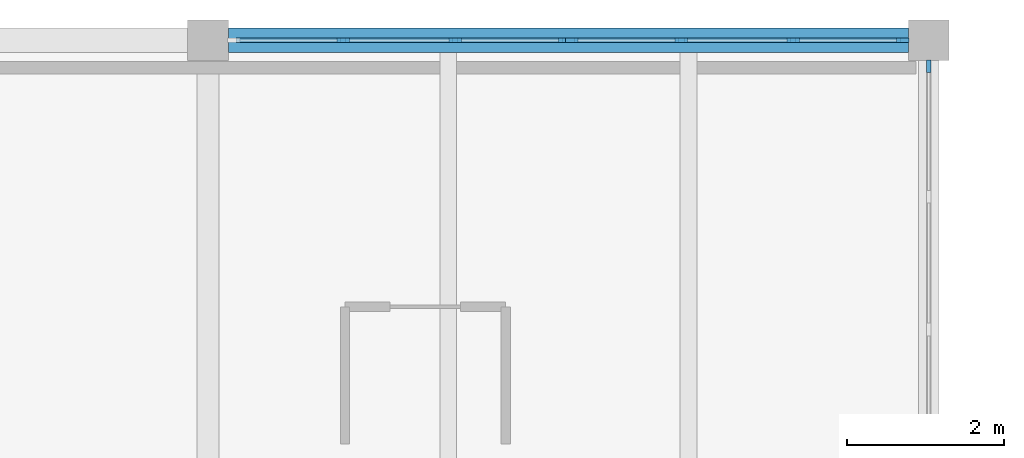
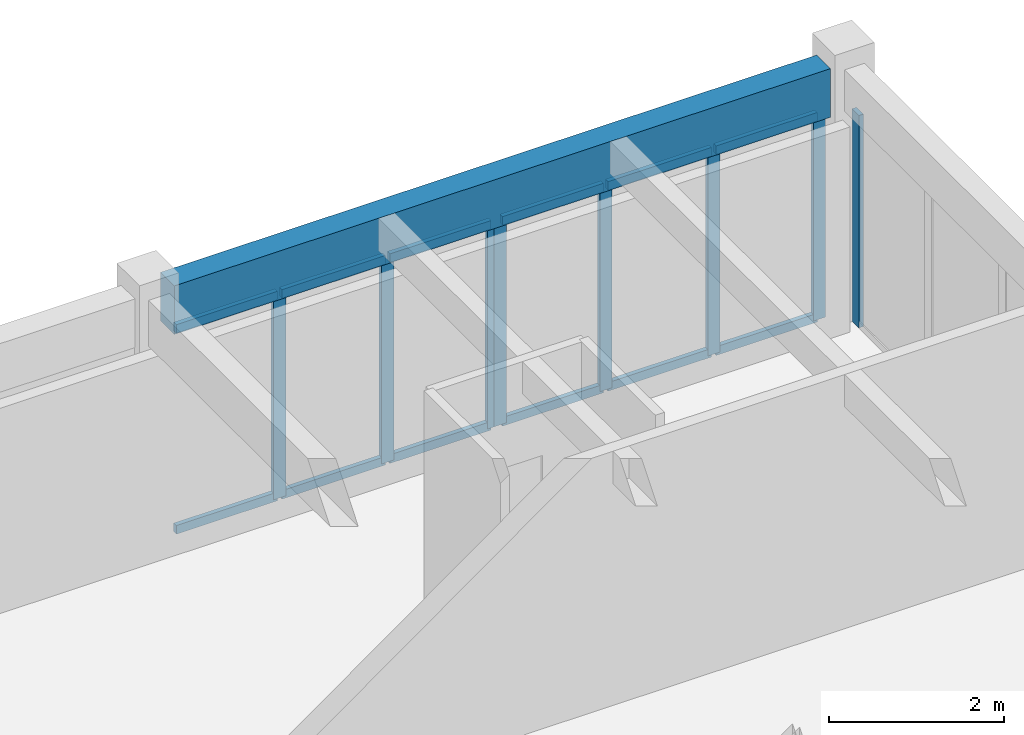
# One storey, part 5 of 20: 20 members, 1 beam, 3 elements without a shape of their own.
"""IFC4 building model written with IfcOpenShell, lengths in metres."""

import ifcopenshell
import ifcopenshell.guid

model = None  # the IFC model being written
_history = None  # IfcOwnerHistory: only IFC2X3 demands one
_inside = {}  # id of a spatial element -> (the spatial element, [elements in it])
_under = {}  # id of a project, library or spatial element -> (it, [spatial elements below it])
_declared = {}  # id of a project -> (the project, [libraries it declares])
_typed = {}  # id of a type object -> (the type object, [elements of that type])
_made_of = {}  # id of a material, layer set ... -> (it, [elements and type objects made of it])


def new_model(schema):
    """Start an empty IFC model of exactly this schema.

    Asked for "IFC4X3", IfcOpenShell would pick the latest addendum, in which some entities
    have other attributes; the version numbers below select the first issue.
    IFC2X3 requires an IfcOwnerHistory on every rooted entity: one is made here for all.
    """
    global model, _history
    if schema == "IFC4X3":
        model = ifcopenshell.file(schema_version=(4, 3, 0, 0))
    else:
        model = ifcopenshell.file(schema=schema)
    _inside.clear()
    _under.clear()
    _declared.clear()
    _typed.clear()
    _made_of.clear()
    _history = None
    if model.schema == "IFC2X3":
        org = make("IfcOrganization", Name="unknown")
        user = make(
            "IfcPersonAndOrganization",
            ThePerson=make("IfcPerson", FamilyName="unknown"),
            TheOrganization=org,
        )
        app = make(
            "IfcApplication",
            ApplicationDeveloper=org,
            Version="unknown",
            ApplicationFullName="unknown",
            ApplicationIdentifier="unknown",
        )
        _history = make(
            "IfcOwnerHistory",
            OwningUser=user,
            OwningApplication=app,
            ChangeAction="ADDED",
            CreationDate=0,
        )
    return model


def make(cls, **values):
    """One entity of the class cls with the attributes given. An attribute that is None is left unset."""
    return model.create_entity(
        cls, **{name: value for name, value in values.items() if value is not None}
    )


def rooted(cls, **values):
    """An entity with a GlobalId (a new one), such as an element, a storey or a relation."""
    return make(cls, GlobalId=ifcopenshell.guid.new(), OwnerHistory=_history, **values)


def si_unit(unit_type, name, prefix=None):
    """IfcSIUnit, for example si_unit("LENGTHUNIT", "METRE", prefix="MILLI")."""
    return make("IfcSIUnit", UnitType=unit_type, Prefix=prefix, Name=name)


def assignment(units):
    """IfcUnitAssignment: the units of a project."""
    return None if units is None else make("IfcUnitAssignment", Units=units)


def point(xyz):
    """IfcCartesianPoint."""
    return None if xyz is None else make("IfcCartesianPoint", Coordinates=xyz)


def direction(xyz):
    """IfcDirection."""
    return None if xyz is None else make("IfcDirection", DirectionRatios=xyz)


def frame(location, z_axis=None, x_axis=None):
    """IfcAxis2Placement3D, a coordinate frame: its origin and axes. An axis left out is left unset."""
    return make(
        "IfcAxis2Placement3D",
        Location=point(location),
        Axis=direction(z_axis),
        RefDirection=direction(x_axis),
    )


def frame_2d(location, x_axis=None):
    """IfcAxis2Placement2D, a coordinate frame in the plane: its origin and x axis."""
    return make(
        "IfcAxis2Placement2D", Location=point(location), RefDirection=direction(x_axis)
    )


def origin():
    """The frame at (0, 0, 0) with its axes left unset."""
    return frame((0.0, 0.0, 0.0))


def origin_2d():
    """The frame at (0, 0) in the plane with its x axis left unset."""
    return frame_2d((0.0, 0.0))


def place(relative_to, where):
    """IfcLocalPlacement: puts the frame where relative to a parent placement (None: the world)."""
    return make(
        "IfcLocalPlacement", PlacementRelTo=relative_to, RelativePlacement=where
    )


def context(
    kind, dimensions, precision=None, world=None, true_north=None, identifier=None
):
    """IfcGeometricRepresentationContext, for example the 3D "Model" context."""
    return make(
        "IfcGeometricRepresentationContext",
        ContextIdentifier=identifier,
        ContextType=kind,
        CoordinateSpaceDimension=dimensions,
        Precision=precision,
        WorldCoordinateSystem=world,
        TrueNorth=true_north,
    )


def subcontext(parent, identifier, kind, view, scale=None):
    """IfcGeometricRepresentationSubContext, for example "Body" below "Model"."""
    return make(
        "IfcGeometricRepresentationSubContext",
        ContextIdentifier=identifier,
        ContextType=kind,
        ParentContext=parent,
        TargetScale=scale,
        TargetView=view,
    )


def project(units=None, contexts=None):
    """IfcProject with its units and contexts."""
    return rooted(
        "IfcProject",
        Name="project",
        RepresentationContexts=contexts,
        UnitsInContext=assignment(units),
    )


def spatial(cls, under=None, at=None, **own):
    """A site, building, storey or space (cls), placed at a placement, below another one or the project."""
    s = rooted(cls, ObjectPlacement=at, **own)
    if under is not None:
        _under.setdefault(under.id(), (under, []))[1].append(s)
    return s


def profile(cls, at=None, kind="AREA", **sizes):
    """A parametric profile (cls). Its sizes go by their IFC names, for example OverallWidth=200.0."""
    return make(cls, ProfileType=kind, Position=at, **sizes)


def rectangle(**sizes):
    """IfcRectangleProfileDef."""
    return profile("IfcRectangleProfileDef", **sizes)


def extrude(swept, where, along, depth):
    """IfcExtrudedAreaSolid: the profile swept, set in the frame where, extruded along a direction by depth."""
    return make(
        "IfcExtrudedAreaSolid",
        SweptArea=swept,
        Position=where,
        ExtrudedDirection=direction(along),
        Depth=depth,
    )


def shape(context_of_items, identifier, shape_type, items):
    """IfcShapeRepresentation: the items that make up one representation, for example the "Body"."""
    return make(
        "IfcShapeRepresentation",
        ContextOfItems=context_of_items,
        RepresentationIdentifier=identifier,
        RepresentationType=shape_type,
        Items=items,
    )


def material(Name=None, Category=None):
    """IfcMaterial."""
    return make("IfcMaterial", Name=Name, Category=Category)


def material_profile(
    of_material, cross_section, Name=None, Category=None, Priority=None
):
    """IfcMaterialProfile: a cross section and its material."""
    return make(
        "IfcMaterialProfile",
        Name=Name,
        Material=of_material,
        Profile=cross_section,
        Priority=Priority,
        Category=Category,
    )


def profile_set(profiles, Name=None, composite=None):
    """IfcMaterialProfileSet."""
    return make(
        "IfcMaterialProfileSet",
        Name=Name,
        MaterialProfiles=profiles,
        CompositeProfile=composite,
    )


def made_of(thing, what):
    """Note that an element or type object is made of a material, layer set ...; save() writes the relation."""
    if what is not None:
        _made_of.setdefault(what.id(), (what, []))[1].append(thing)
    return thing


def type_object(cls, material=None, **own):
    """A type object (cls), such as IfcWallType, which elements share."""
    return made_of(rooted(cls, **own), material)


def element(
    cls,
    number,
    at=None,
    inside=None,
    cuts=None,
    type_object=None,
    material=None,
    context=None,
    identifier="Body",
    shape_type=None,
    held_by="IfcProductDefinitionShape",
    body=None,
    shapes=None,
    **own,
):
    """One element of the class cls, such as IfcWall. Its Tag is "e" and its number.

    at: its placement. inside: the storey or other place that contains it. cuts: it is an
    opening in that element (IfcRelVoidsElement). A single representation is given by context,
    identifier, shape_type and body (its items); several are given by shapes. held_by: the class
    of the entity that holds the representations. save() writes the other relations.
    """
    e = rooted(cls, Tag="e%d" % number, ObjectPlacement=at, **own)
    if body is not None:
        shapes = [shape(context, identifier, shape_type, body)]
    if shapes is not None:
        e.Representation = make(held_by, Representations=shapes)
    if inside is not None:
        _inside.setdefault(inside.id(), (inside, []))[1].append(e)
    if cuts is not None:
        rooted(
            "IfcRelVoidsElement", RelatingBuildingElement=cuts, RelatedOpeningElement=e
        )
    if type_object is not None:
        _typed.setdefault(type_object.id(), (type_object, []))[1].append(e)
    return made_of(e, material)


def aggregate(whole, parts):
    """IfcRelAggregates: a whole, such as a stair, and the parts it consists of."""
    return rooted("IfcRelAggregates", RelatingObject=whole, RelatedObjects=parts)


def save(model, path):
    """Write the relations noted so far, then the file.

    IfcRelAggregates (storeys below a building ...), IfcRelContainedInSpatialStructure (elements
    in a storey), IfcRelDefinesByType, IfcRelAssociatesMaterial and IfcRelDeclares: one each for
    every whole, place, type object, material and project.
    """
    for whole, parts in _under.values():
        aggregate(whole, parts)
    for where, things in _inside.values():
        rooted(
            "IfcRelContainedInSpatialStructure",
            RelatedElements=things,
            RelatingStructure=where,
        )
    for kind, things in _typed.values():
        rooted("IfcRelDefinesByType", RelatedObjects=things, RelatingType=kind)
    for what, things in _made_of.values():
        rooted("IfcRelAssociatesMaterial", RelatedObjects=things, RelatingMaterial=what)
    for by, libraries in _declared.values():
        rooted("IfcRelDeclares", RelatingContext=by, RelatedDefinitions=libraries)
    model.write(path)


model = new_model("IFC4")

# Units and contexts
model_context = context("Model", 3, precision=1e-05, world=origin(), true_north=direction((0.0, 1.0)))
body_context = subcontext(model_context, "Body", "Model", "MODEL_VIEW")
ifc_project = project(units=[si_unit("LENGTHUNIT", "METRE"), si_unit("AREAUNIT", "SQUARE_METRE"), si_unit("VOLUMEUNIT", "CUBIC_METRE"), si_unit("PLANEANGLEUNIT", "RADIAN"), si_unit("MASSUNIT", "GRAM", prefix="KILO")], contexts=[model_context])

# Site, building, storey
site_placement = place(None, origin())
site = spatial("IfcSite", under=ifc_project, at=site_placement, CompositionType="ELEMENT")
building_placement = place(site_placement, origin())
building = spatial("IfcBuilding", under=site, at=building_placement, Name="Veldera Park Congress Hotel", CompositionType="ELEMENT")
storey_placement = place(building_placement, frame((0.0, 0.0, 27.60009765625)))
storey = spatial("IfcBuildingStorey", under=building, at=storey_placement, Name="L06", CompositionType="ELEMENT", Elevation=27.60009765625)

# Beam
ifc_material_1 = material(Name="Glulam GL28h (NDS 24F-V4)", Category="wood")
ifc_material_profile_1 = material_profile(ifc_material_1, rectangle(XDim=0.31494140625, YDim=0.679931640625, at=origin_2d()), Name="GL28h 315x680")
ifc_profile_set_1 = profile_set([ifc_material_profile_1], Name="Glulam GL28h (NDS 24F-V4)")
beam_type = type_object("IfcBeamType", Name="BM-GL640E", PredefinedType="BEAM", material=ifc_profile_set_1)
beam_placement = place(storey_placement, frame((75.06005859375, 58.0, 3.21484375), z_axis=(1.0, 0.0, 0.0), x_axis=(0.0, 1.0, 0.0)))
element("IfcBeam", 1, at=beam_placement, inside=storey, type_object=beam_type, Name="L06 Girder BM-GL640E 1554", PredefinedType="BEAM", context=body_context, shape_type="SweptSolid", body=[
    extrude(rectangle(XDim=0.31494140625, YDim=0.679931640625, at=origin_2d()), origin(), (0.0, 0.0, 1.0), 8.679931640625),
])

# Curtain wall, member
ifc_material_2 = material(Name="Low-E Triple Insulating Glass Unit (SHGC 0.22)", Category="glass")
curtain_wall_type = type_object("IfcCurtainWallType", Name="CW-HTL", PredefinedType="NOTDEFINED", material=ifc_material_2)
curtain_wall_1_placement = place(storey_placement, origin())
curtain_wall_1 = element("IfcCurtainWall", 2, at=curtain_wall_1_placement, inside=storey, type_object=curtain_wall_type, Name="L06 Curtain Wall CW3-HTLNE-L06-109", PredefinedType="NOTDEFINED")
ifc_material_3 = material(Name="Anodised Aluminium Alloy 6063-T6", Category="aluminium")
ifc_material_profile_2 = material_profile(ifc_material_3, rectangle(XDim=0.06005859375, YDim=0.159912109375, at=origin_2d()), Name="ALU 60x160")
ifc_profile_set_2 = profile_set([ifc_material_profile_2], Name="Anodised Aluminium Alloy 6063-T6")
member_type_1 = type_object("IfcMemberType", Name="CWM-160", PredefinedType="MULLION", material=ifc_profile_set_2)
member_1_placement = place(storey_placement, frame((84.0, 57.669921875, 0.0), z_axis=(0.0, 0.0, 1.0), x_axis=(-1.0, 0.0, 0.0)))
member_1 = element("IfcMember", 3, at=member_1_placement, type_object=member_type_1, Name="CW-HTL mullion 4", PredefinedType="MULLION", context=body_context, shape_type="SweptSolid", body=[
    extrude(rectangle(XDim=0.06005859375, YDim=0.159912109375, at=origin_2d()), origin(), (0.0, 0.0, 1.0), 2.969970703125),
])
aggregate(curtain_wall_1, [member_1])

# Curtain wall, members
curtain_wall_2_placement = place(storey_placement, origin())
curtain_wall_2 = element("IfcCurtainWall", 4, at=curtain_wall_2_placement, inside=storey, type_object=curtain_wall_type, Name="L06 Curtain Wall CW3-HTLNN-L06-110", PredefinedType="NOTDEFINED")
member_2_placement = place(storey_placement, frame((83.669921875, 58.0, 0.0), z_axis=(0.0, 0.0, 1.0), x_axis=(0.0, -1.0, 0.0)))
member_2 = element("IfcMember", 5, at=member_2_placement, type_object=member_type_1, Name="CW-HTL mullion 1", PredefinedType="MULLION", context=body_context, shape_type="SweptSolid", body=[
    extrude(rectangle(XDim=0.06005859375, YDim=0.159912109375, at=origin_2d()), origin(), (0.0, 0.0, 1.0), 2.869873046875),
])
member_3_placement = place(storey_placement, frame((82.271728515625, 58.0, 0.0), z_axis=(0.0, 0.0, 1.0), x_axis=(0.0, -1.0, 0.0)))
member_3 = element("IfcMember", 6, at=member_3_placement, type_object=member_type_1, Name="CW-HTL mullion 2", PredefinedType="MULLION", context=body_context, shape_type="SweptSolid", body=[
    extrude(rectangle(XDim=0.06005859375, YDim=0.159912109375, at=origin_2d()), origin(), (0.0, 0.0, 1.0), 2.869873046875),
])
member_4_placement = place(storey_placement, frame((80.84326171875, 58.0, 0.0), z_axis=(0.0, 0.0, 1.0), x_axis=(0.0, -1.0, 0.0)))
member_4 = element("IfcMember", 7, at=member_4_placement, type_object=member_type_1, Name="CW-HTL mullion 3", PredefinedType="MULLION", context=body_context, shape_type="SweptSolid", body=[
    extrude(rectangle(XDim=0.06005859375, YDim=0.159912109375, at=origin_2d()), origin(), (0.0, 0.0, 1.0), 2.869873046875),
])
member_5_placement = place(storey_placement, frame((79.445068359375, 58.0, 0.0), z_axis=(0.0, 0.0, 1.0), x_axis=(0.0, -1.0, 0.0)))
member_5 = element("IfcMember", 8, at=member_5_placement, type_object=member_type_1, Name="CW-HTL mullion 4", PredefinedType="MULLION", context=body_context, shape_type="SweptSolid", body=[
    extrude(rectangle(XDim=0.06005859375, YDim=0.159912109375, at=origin_2d()), origin(), (0.0, 0.0, 1.0), 2.869873046875),
])

curtain_wall_3_placement = place(storey_placement, origin())
curtain_wall_3 = element("IfcCurtainWall", 9, at=curtain_wall_3_placement, inside=storey, type_object=curtain_wall_type, Name="L06 Curtain Wall CW3-HTLNN-L06-111", PredefinedType="NOTDEFINED")
member_6_placement = place(storey_placement, frame((79.35498046875, 58.0, 0.0), z_axis=(0.0, 0.0, 1.0), x_axis=(0.0, -1.0, 0.0)))
member_6 = element("IfcMember", 10, at=member_6_placement, type_object=member_type_1, Name="CW-HTL mullion 1", PredefinedType="MULLION", context=body_context, shape_type="SweptSolid", body=[
    extrude(rectangle(XDim=0.06005859375, YDim=0.159912109375, at=origin_2d()), origin(), (0.0, 0.0, 1.0), 2.869873046875),
])
member_7_placement = place(storey_placement, frame((77.956787109375, 58.0, 0.0), z_axis=(0.0, 0.0, 1.0), x_axis=(0.0, -1.0, 0.0)))
member_7 = element("IfcMember", 11, at=member_7_placement, type_object=member_type_1, Name="CW-HTL mullion 2", PredefinedType="MULLION", context=body_context, shape_type="SweptSolid", body=[
    extrude(rectangle(XDim=0.06005859375, YDim=0.159912109375, at=origin_2d()), origin(), (0.0, 0.0, 1.0), 2.869873046875),
])
member_8_placement = place(storey_placement, frame((76.5283203125, 58.0, 0.0), z_axis=(0.0, 0.0, 1.0), x_axis=(0.0, -1.0, 0.0)))
member_8 = element("IfcMember", 12, at=member_8_placement, type_object=member_type_1, Name="CW-HTL mullion 3", PredefinedType="MULLION", context=body_context, shape_type="SweptSolid", body=[
    extrude(rectangle(XDim=0.06005859375, YDim=0.159912109375, at=origin_2d()), origin(), (0.0, 0.0, 1.0), 2.869873046875),
])

# Member
ifc_material_profile_3 = material_profile(ifc_material_3, rectangle(XDim=0.06005859375, YDim=0.1201171875, at=origin_2d()), Name="ALU 60x120")
ifc_profile_set_3 = profile_set([ifc_material_profile_3], Name="Anodised Aluminium Alloy 6063-T6")
member_type_2 = type_object("IfcMemberType", Name="CWT-120", PredefinedType="USERDEFINED", material=ifc_profile_set_3)
member_9_placement = place(storey_placement, frame((83.639892578125, 58.0, 0.02978515625), z_axis=(-1.0, 0.0, 0.0), x_axis=(0.0, -1.0, 0.0)))
member_9 = element("IfcMember", 13, at=member_9_placement, type_object=member_type_2, Name="CW-HTL transom 1.1", ObjectType="TRANSOM", PredefinedType="USERDEFINED", context=body_context, shape_type="SweptSolid", body=[
    extrude(rectangle(XDim=0.06005859375, YDim=0.1201171875, at=origin_2d()), origin(), (0.0, 0.0, 1.0), 1.338134765625),
])

member_10_placement = place(storey_placement, frame((83.639892578125, 58.0, 2.83984375), z_axis=(-1.0, 0.0, 0.0), x_axis=(0.0, -1.0, 0.0)))
member_10 = element("IfcMember", 14, at=member_10_placement, type_object=member_type_2, Name="CW-HTL transom 1.2", ObjectType="TRANSOM", PredefinedType="USERDEFINED", context=body_context, shape_type="SweptSolid", body=[
    extrude(rectangle(XDim=0.06005859375, YDim=0.1201171875, at=origin_2d()), origin(), (0.0, 0.0, 1.0), 1.338134765625),
])

member_11_placement = place(storey_placement, frame((82.24169921875, 58.0, 0.02978515625), z_axis=(-1.0, 0.0, 0.0), x_axis=(0.0, -1.0, 0.0)))
member_11 = element("IfcMember", 15, at=member_11_placement, type_object=member_type_2, Name="CW-HTL transom 2.1", ObjectType="TRANSOM", PredefinedType="USERDEFINED", context=body_context, shape_type="SweptSolid", body=[
    extrude(rectangle(XDim=0.06005859375, YDim=0.1201171875, at=origin_2d()), origin(), (0.0, 0.0, 1.0), 1.368408203125),
])

member_12_placement = place(storey_placement, frame((82.24169921875, 58.0, 2.83984375), z_axis=(-1.0, 0.0, 0.0), x_axis=(0.0, -1.0, 0.0)))
member_12 = element("IfcMember", 16, at=member_12_placement, type_object=member_type_2, Name="CW-HTL transom 2.2", ObjectType="TRANSOM", PredefinedType="USERDEFINED", context=body_context, shape_type="SweptSolid", body=[
    extrude(rectangle(XDim=0.06005859375, YDim=0.1201171875, at=origin_2d()), origin(), (0.0, 0.0, 1.0), 1.368408203125),
])

member_13_placement = place(storey_placement, frame((80.813232421875, 58.0, 0.02978515625), z_axis=(-1.0, 0.0, 0.0), x_axis=(0.0, -1.0, 0.0)))
member_13 = element("IfcMember", 17, at=member_13_placement, type_object=member_type_2, Name="CW-HTL transom 3.1", ObjectType="TRANSOM", PredefinedType="USERDEFINED", context=body_context, shape_type="SweptSolid", body=[
    extrude(rectangle(XDim=0.06005859375, YDim=0.1201171875, at=origin_2d()), origin(), (0.0, 0.0, 1.0), 1.338134765625),
])

member_14_placement = place(storey_placement, frame((80.813232421875, 58.0, 2.83984375), z_axis=(-1.0, 0.0, 0.0), x_axis=(0.0, -1.0, 0.0)))
member_14 = element("IfcMember", 18, at=member_14_placement, type_object=member_type_2, Name="CW-HTL transom 3.2", ObjectType="TRANSOM", PredefinedType="USERDEFINED", context=body_context, shape_type="SweptSolid", body=[
    extrude(rectangle(XDim=0.06005859375, YDim=0.1201171875, at=origin_2d()), origin(), (0.0, 0.0, 1.0), 1.338134765625),
])

aggregate(curtain_wall_2, [member_2, member_3, member_4, member_5, member_9, member_10, member_11, member_12, member_13, member_14])

member_15_placement = place(storey_placement, frame((79.324951171875, 58.0, 0.02978515625), z_axis=(-1.0, 0.0, 0.0), x_axis=(0.0, -1.0, 0.0)))
member_15 = element("IfcMember", 19, at=member_15_placement, type_object=member_type_2, Name="CW-HTL transom 1.1", ObjectType="TRANSOM", PredefinedType="USERDEFINED", context=body_context, shape_type="SweptSolid", body=[
    extrude(rectangle(XDim=0.06005859375, YDim=0.1201171875, at=origin_2d()), origin(), (0.0, 0.0, 1.0), 1.33837890625),
])

member_16_placement = place(storey_placement, frame((79.324951171875, 58.0, 2.83984375), z_axis=(-1.0, 0.0, 0.0), x_axis=(0.0, -1.0, 0.0)))
member_16 = element("IfcMember", 20, at=member_16_placement, type_object=member_type_2, Name="CW-HTL transom 1.2", ObjectType="TRANSOM", PredefinedType="USERDEFINED", context=body_context, shape_type="SweptSolid", body=[
    extrude(rectangle(XDim=0.06005859375, YDim=0.1201171875, at=origin_2d()), origin(), (0.0, 0.0, 1.0), 1.33837890625),
])

member_17_placement = place(storey_placement, frame((77.9267578125, 58.0, 0.02978515625), z_axis=(-1.0, 0.0, 0.0), x_axis=(0.0, -1.0, 0.0)))
member_17 = element("IfcMember", 21, at=member_17_placement, type_object=member_type_2, Name="CW-HTL transom 2.1", ObjectType="TRANSOM", PredefinedType="USERDEFINED", context=body_context, shape_type="SweptSolid", body=[
    extrude(rectangle(XDim=0.06005859375, YDim=0.1201171875, at=origin_2d()), origin(), (0.0, 0.0, 1.0), 1.368408203125),
])

member_18_placement = place(storey_placement, frame((77.9267578125, 58.0, 2.83984375), z_axis=(-1.0, 0.0, 0.0), x_axis=(0.0, -1.0, 0.0)))
member_18 = element("IfcMember", 22, at=member_18_placement, type_object=member_type_2, Name="CW-HTL transom 2.2", ObjectType="TRANSOM", PredefinedType="USERDEFINED", context=body_context, shape_type="SweptSolid", body=[
    extrude(rectangle(XDim=0.06005859375, YDim=0.1201171875, at=origin_2d()), origin(), (0.0, 0.0, 1.0), 1.368408203125),
])

member_19_placement = place(storey_placement, frame((76.498291015625, 58.0, 0.02978515625), z_axis=(-1.0, 0.0, 0.0), x_axis=(0.0, -1.0, 0.0)))
member_19 = element("IfcMember", 23, at=member_19_placement, type_object=member_type_2, Name="CW-HTL transom 3.1", ObjectType="TRANSOM", PredefinedType="USERDEFINED", context=body_context, shape_type="SweptSolid", body=[
    extrude(rectangle(XDim=0.06005859375, YDim=0.1201171875, at=origin_2d()), origin(), (0.0, 0.0, 1.0), 1.33837890625),
])

member_20_placement = place(storey_placement, frame((76.498291015625, 58.0, 2.83984375), z_axis=(-1.0, 0.0, 0.0), x_axis=(0.0, -1.0, 0.0)))
member_20 = element("IfcMember", 24, at=member_20_placement, type_object=member_type_2, Name="CW-HTL transom 3.2", ObjectType="TRANSOM", PredefinedType="USERDEFINED", context=body_context, shape_type="SweptSolid", body=[
    extrude(rectangle(XDim=0.06005859375, YDim=0.1201171875, at=origin_2d()), origin(), (0.0, 0.0, 1.0), 1.33837890625),
])

aggregate(curtain_wall_3, [member_6, member_7, member_8, member_15, member_16, member_17, member_18, member_19, member_20])

save(model, "model.ifc")
